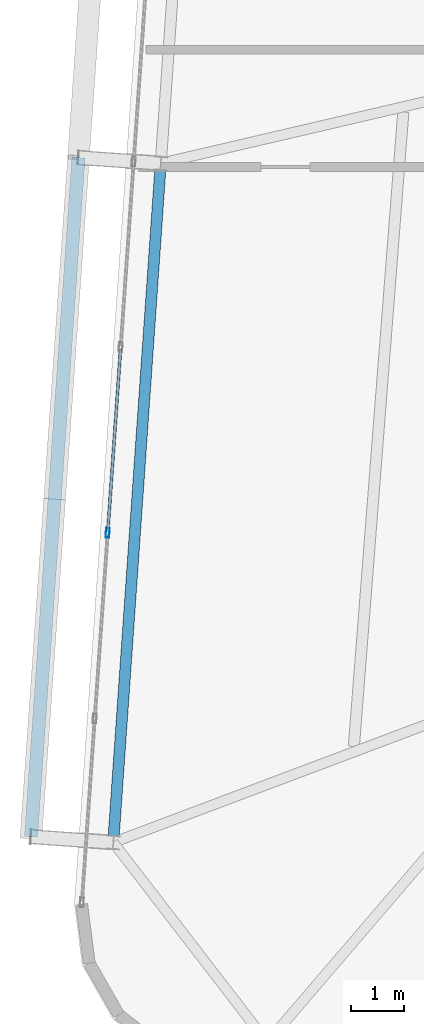
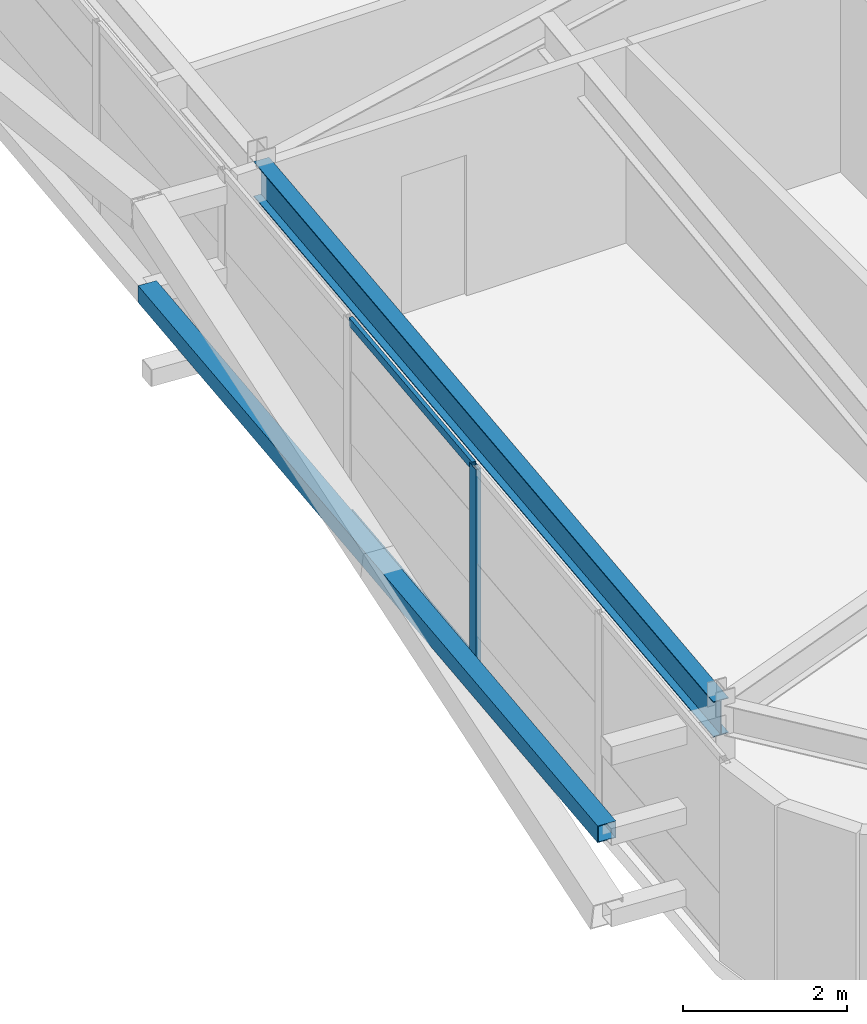
# One storey, part 9 of 47: 4 members, 1 beam, 1 element without a shape of its own.
"""IFC4 building model written with IfcOpenShell, lengths in metres."""

import ifcopenshell
import ifcopenshell.guid

model = None  # the IFC model being written
_history = None  # IfcOwnerHistory: only IFC2X3 demands one
_inside = {}  # id of a spatial element -> (the spatial element, [elements in it])
_under = {}  # id of a project, library or spatial element -> (it, [spatial elements below it])
_declared = {}  # id of a project -> (the project, [libraries it declares])
_typed = {}  # id of a type object -> (the type object, [elements of that type])
_made_of = {}  # id of a material, layer set ... -> (it, [elements and type objects made of it])


def new_model(schema):
    """Start an empty IFC model of exactly this schema.

    Asked for "IFC4X3", IfcOpenShell would pick the latest addendum, in which some entities
    have other attributes; the version numbers below select the first issue.
    IFC2X3 requires an IfcOwnerHistory on every rooted entity: one is made here for all.
    """
    global model, _history
    if schema == "IFC4X3":
        model = ifcopenshell.file(schema_version=(4, 3, 0, 0))
    else:
        model = ifcopenshell.file(schema=schema)
    _inside.clear()
    _under.clear()
    _declared.clear()
    _typed.clear()
    _made_of.clear()
    _history = None
    if model.schema == "IFC2X3":
        org = make("IfcOrganization", Name="unknown")
        user = make(
            "IfcPersonAndOrganization",
            ThePerson=make("IfcPerson", FamilyName="unknown"),
            TheOrganization=org,
        )
        app = make(
            "IfcApplication",
            ApplicationDeveloper=org,
            Version="unknown",
            ApplicationFullName="unknown",
            ApplicationIdentifier="unknown",
        )
        _history = make(
            "IfcOwnerHistory",
            OwningUser=user,
            OwningApplication=app,
            ChangeAction="ADDED",
            CreationDate=0,
        )
    return model


def make(cls, **values):
    """One entity of the class cls with the attributes given. An attribute that is None is left unset."""
    return model.create_entity(
        cls, **{name: value for name, value in values.items() if value is not None}
    )


def rooted(cls, **values):
    """An entity with a GlobalId (a new one), such as an element, a storey or a relation."""
    return make(cls, GlobalId=ifcopenshell.guid.new(), OwnerHistory=_history, **values)


def si_unit(unit_type, name, prefix=None):
    """IfcSIUnit, for example si_unit("LENGTHUNIT", "METRE", prefix="MILLI")."""
    return make("IfcSIUnit", UnitType=unit_type, Prefix=prefix, Name=name)


def assignment(units):
    """IfcUnitAssignment: the units of a project."""
    return None if units is None else make("IfcUnitAssignment", Units=units)


def point(xyz):
    """IfcCartesianPoint."""
    return None if xyz is None else make("IfcCartesianPoint", Coordinates=xyz)


def direction(xyz):
    """IfcDirection."""
    return None if xyz is None else make("IfcDirection", DirectionRatios=xyz)


def frame(location, z_axis=None, x_axis=None):
    """IfcAxis2Placement3D, a coordinate frame: its origin and axes. An axis left out is left unset."""
    return make(
        "IfcAxis2Placement3D",
        Location=point(location),
        Axis=direction(z_axis),
        RefDirection=direction(x_axis),
    )


def frame_2d(location, x_axis=None):
    """IfcAxis2Placement2D, a coordinate frame in the plane: its origin and x axis."""
    return make(
        "IfcAxis2Placement2D", Location=point(location), RefDirection=direction(x_axis)
    )


def origin():
    """The frame at (0, 0, 0) with its axes left unset."""
    return frame((0.0, 0.0, 0.0))


def origin_2d():
    """The frame at (0, 0) in the plane with its x axis left unset."""
    return frame_2d((0.0, 0.0))


def place(relative_to, where):
    """IfcLocalPlacement: puts the frame where relative to a parent placement (None: the world)."""
    return make(
        "IfcLocalPlacement", PlacementRelTo=relative_to, RelativePlacement=where
    )


def context(
    kind, dimensions, precision=None, world=None, true_north=None, identifier=None
):
    """IfcGeometricRepresentationContext, for example the 3D "Model" context."""
    return make(
        "IfcGeometricRepresentationContext",
        ContextIdentifier=identifier,
        ContextType=kind,
        CoordinateSpaceDimension=dimensions,
        Precision=precision,
        WorldCoordinateSystem=world,
        TrueNorth=true_north,
    )


def subcontext(parent, identifier, kind, view, scale=None):
    """IfcGeometricRepresentationSubContext, for example "Body" below "Model"."""
    return make(
        "IfcGeometricRepresentationSubContext",
        ContextIdentifier=identifier,
        ContextType=kind,
        ParentContext=parent,
        TargetScale=scale,
        TargetView=view,
    )


def project(units=None, contexts=None):
    """IfcProject with its units and contexts."""
    return rooted(
        "IfcProject",
        Name="project",
        RepresentationContexts=contexts,
        UnitsInContext=assignment(units),
    )


def spatial(cls, under=None, at=None, **own):
    """A site, building, storey or space (cls), placed at a placement, below another one or the project."""
    s = rooted(cls, ObjectPlacement=at, **own)
    if under is not None:
        _under.setdefault(under.id(), (under, []))[1].append(s)
    return s


def profile(cls, at=None, kind="AREA", **sizes):
    """A parametric profile (cls). Its sizes go by their IFC names, for example OverallWidth=200.0."""
    return make(cls, ProfileType=kind, Position=at, **sizes)


def hollow_rectangle(**sizes):
    """IfcRectangleHollowProfileDef."""
    return profile("IfcRectangleHollowProfileDef", **sizes)


def i_section(**sizes):
    """IfcIShapeProfileDef."""
    return profile("IfcIShapeProfileDef", **sizes)


def extrude(swept, where, along, depth):
    """IfcExtrudedAreaSolid: the profile swept, set in the frame where, extruded along a direction by depth."""
    return make(
        "IfcExtrudedAreaSolid",
        SweptArea=swept,
        Position=where,
        ExtrudedDirection=direction(along),
        Depth=depth,
    )


def shape(context_of_items, identifier, shape_type, items):
    """IfcShapeRepresentation: the items that make up one representation, for example the "Body"."""
    return make(
        "IfcShapeRepresentation",
        ContextOfItems=context_of_items,
        RepresentationIdentifier=identifier,
        RepresentationType=shape_type,
        Items=items,
    )


def source(mapping_origin, context_of_items, identifier, shape_type, items):
    """IfcRepresentationMap: a shape defined once, which mapped items show again and again."""
    return make(
        "IfcRepresentationMap",
        MappingOrigin=mapping_origin,
        MappedRepresentation=shape(context_of_items, identifier, shape_type, items),
    )


def transform(
    local_origin,
    x_axis=None,
    y_axis=None,
    z_axis=None,
    scale=None,
    scale2=None,
    scale3=None,
    uniform=True,
):
    """IfcCartesianTransformationOperator3D, or its non-uniform kind. x_axis, y_axis, z_axis: its Axis1, 2, 3."""
    if uniform:
        return make(
            "IfcCartesianTransformationOperator3D",
            Axis1=direction(x_axis),
            Axis2=direction(y_axis),
            LocalOrigin=point(local_origin),
            Scale=scale,
            Axis3=direction(z_axis),
        )
    return make(
        "IfcCartesianTransformationOperator3DnonUniform",
        Axis1=direction(x_axis),
        Axis2=direction(y_axis),
        LocalOrigin=point(local_origin),
        Scale=scale,
        Axis3=direction(z_axis),
        Scale2=scale2,
        Scale3=scale3,
    )


def mapped(mapping_source, mapping_target):
    """IfcMappedItem: shows the shape of a source again, moved by a transform."""
    return make(
        "IfcMappedItem", MappingSource=mapping_source, MappingTarget=mapping_target
    )


def material(Name=None, Category=None):
    """IfcMaterial."""
    return make("IfcMaterial", Name=Name, Category=Category)


def layer(
    of_material, thickness, ventilated=None, Name=None, Category=None, Priority=None
):
    """IfcMaterialLayer: one layer of a wall or slab, of a material (None: an air gap)."""
    return make(
        "IfcMaterialLayer",
        Material=of_material,
        LayerThickness=thickness,
        IsVentilated=ventilated,
        Name=Name,
        Category=Category,
        Priority=Priority,
    )


def layer_set(layers, Name=None):
    """IfcMaterialLayerSet."""
    return make("IfcMaterialLayerSet", MaterialLayers=layers, LayerSetName=Name)


def material_profile(
    of_material, cross_section, Name=None, Category=None, Priority=None
):
    """IfcMaterialProfile: a cross section and its material."""
    return make(
        "IfcMaterialProfile",
        Name=Name,
        Material=of_material,
        Profile=cross_section,
        Priority=Priority,
        Category=Category,
    )


def profile_set(profiles, Name=None, composite=None):
    """IfcMaterialProfileSet."""
    return make(
        "IfcMaterialProfileSet",
        Name=Name,
        MaterialProfiles=profiles,
        CompositeProfile=composite,
    )


def made_of(thing, what):
    """Note that an element or type object is made of a material, layer set ...; save() writes the relation."""
    if what is not None:
        _made_of.setdefault(what.id(), (what, []))[1].append(thing)
    return thing


def type_object(cls, material=None, **own):
    """A type object (cls), such as IfcWallType, which elements share."""
    return made_of(rooted(cls, **own), material)


def element(
    cls,
    number,
    at=None,
    inside=None,
    cuts=None,
    type_object=None,
    material=None,
    context=None,
    identifier="Body",
    shape_type=None,
    held_by="IfcProductDefinitionShape",
    body=None,
    shapes=None,
    **own,
):
    """One element of the class cls, such as IfcWall. Its Tag is "e" and its number.

    at: its placement. inside: the storey or other place that contains it. cuts: it is an
    opening in that element (IfcRelVoidsElement). A single representation is given by context,
    identifier, shape_type and body (its items); several are given by shapes. held_by: the class
    of the entity that holds the representations. save() writes the other relations.
    """
    e = rooted(cls, Tag="e%d" % number, ObjectPlacement=at, **own)
    if body is not None:
        shapes = [shape(context, identifier, shape_type, body)]
    if shapes is not None:
        e.Representation = make(held_by, Representations=shapes)
    if inside is not None:
        _inside.setdefault(inside.id(), (inside, []))[1].append(e)
    if cuts is not None:
        rooted(
            "IfcRelVoidsElement", RelatingBuildingElement=cuts, RelatedOpeningElement=e
        )
    if type_object is not None:
        _typed.setdefault(type_object.id(), (type_object, []))[1].append(e)
    return made_of(e, material)


def aggregate(whole, parts):
    """IfcRelAggregates: a whole, such as a stair, and the parts it consists of."""
    return rooted("IfcRelAggregates", RelatingObject=whole, RelatedObjects=parts)


def save(model, path):
    """Write the relations noted so far, then the file.

    IfcRelAggregates (storeys below a building ...), IfcRelContainedInSpatialStructure (elements
    in a storey), IfcRelDefinesByType, IfcRelAssociatesMaterial and IfcRelDeclares: one each for
    every whole, place, type object, material and project.
    """
    for whole, parts in _under.values():
        aggregate(whole, parts)
    for where, things in _inside.values():
        rooted(
            "IfcRelContainedInSpatialStructure",
            RelatedElements=things,
            RelatingStructure=where,
        )
    for kind, things in _typed.values():
        rooted("IfcRelDefinesByType", RelatedObjects=things, RelatingType=kind)
    for what, things in _made_of.values():
        rooted("IfcRelAssociatesMaterial", RelatedObjects=things, RelatingMaterial=what)
    for by, libraries in _declared.values():
        rooted("IfcRelDeclares", RelatingContext=by, RelatedDefinitions=libraries)
    model.write(path)


model = new_model("IFC4")

# Units and contexts
model_context = context("Model", 3, precision=1e-05, world=origin(), true_north=direction((0.0, 1.0)))
body_context = subcontext(model_context, "Body", "Model", "MODEL_VIEW")
ifc_project = project(units=[si_unit("LENGTHUNIT", "METRE"), si_unit("AREAUNIT", "SQUARE_METRE"), si_unit("VOLUMEUNIT", "CUBIC_METRE"), si_unit("PLANEANGLEUNIT", "RADIAN"), si_unit("MASSUNIT", "GRAM", prefix="KILO")], contexts=[model_context])

# Site, building, storey
site_placement = place(None, origin())
site = spatial("IfcSite", under=ifc_project, at=site_placement, CompositionType="ELEMENT")
building_placement = place(site_placement, origin())
building = spatial("IfcBuilding", under=site, at=building_placement, Name="Taldren Reach Tower", CompositionType="ELEMENT")
storey_placement = place(building_placement, frame((0.0, 0.0, 139.300048828125)))
storey = spatial("IfcBuildingStorey", under=building, at=storey_placement, Name="L42", CompositionType="ELEMENT", Elevation=139.300048828125)

# Beam
ifc_material_1 = material(Name="Steel Gr 350 (350PLUS)", Category="steel")
ifc_material_profile_1 = material_profile(ifc_material_1, i_section(OverallWidth=0.208984375, OverallDepth=0.528076171875, WebThickness=0.009521484375, FlangeThickness=0.01318359375, at=origin_2d()), Name="530UB82.0")
ifc_profile_set_1 = profile_set([ifc_material_profile_1], Name="Steel Gr 350 (350PLUS)")
beam_type = type_object("IfcBeamType", Name="SP-UB530B", PredefinedType="SPANDREL", material=ifc_profile_set_1)
shared_shape_1 = source(origin(), body_context, "Body", "SweptSolid", [
    extrude(i_section(OverallWidth=0.208984375, OverallDepth=0.528076171875, WebThickness=0.009521484375, FlangeThickness=0.01318359375, at=origin_2d()), origin(), (0.0, 0.0, 1.0), 12.800048828125),
])
beam_placement = place(storey_placement, frame((9.86181640625, 21.868408203125, 2.666015625), z_axis=(-0.069770857464, -0.997563044348, 0.0), x_axis=(0.997563044348, -0.069770857464, 0.0)))
element("IfcBeam", 1, at=beam_placement, inside=storey, type_object=beam_type, Name="Perimeter spandrel B3 W2-W1 L42", PredefinedType="SPANDREL", context=body_context, shape_type="MappedRepresentation", body=[
    mapped(shared_shape_1, transform((0.0, 0.0, 0.0), scale=1.0)),
])

# Member
ifc_material_2 = material(Name="Steel Gr 350 (C350L0)", Category="steel")
ifc_material_profile_2 = material_profile(ifc_material_2, hollow_rectangle(XDim=0.25, YDim=0.25, WallThickness=0.010009765625, at=origin_2d()), Name="250x250x10.0SHS")
ifc_profile_set_2 = profile_set([ifc_material_profile_2], Name="Steel Gr 350 (C350L0)")
member_type_1 = type_object("IfcMemberType", Name="MB-POST250", PredefinedType="POST", material=ifc_profile_set_2)
shared_shape_2 = source(origin(), body_context, "Body", "SweptSolid", [
    extrude(hollow_rectangle(XDim=0.25, YDim=0.25, WallThickness=0.010009765625, at=origin_2d()), origin(), (0.0, 0.0, 1.0), 12.80029296875),
])
member_1_placement = place(storey_placement, frame((7.422607421875, 9.20751953125, 1.43505859375), z_axis=(0.069750549628, 0.997564464497, 0.0), x_axis=(-0.997564464497, 0.069750549628, 0.0)))
element("IfcMember", 2, at=member_1_placement, inside=storey, type_object=member_type_1, Name="Exoskeleton mid-height ring chord B3-W1 L42", PredefinedType="POST", context=body_context, shape_type="MappedRepresentation", body=[
    mapped(shared_shape_2, transform((0.0, 0.0, 0.0), scale=1.0)),
])

# Curtain wall, members
ifc_material_3 = material(Name="Aluminium and Low-E Glass Unitised System", Category="aluminium")
ifc_layer = layer(ifc_material_3, 0.159912109375)
ifc_layer_set = layer_set([ifc_layer], Name="Aluminium and Low-E Glass Unitised System")
curtain_wall_type = type_object("IfcCurtainWallType", Name="CW-SYS-4", PredefinedType="NOTDEFINED", material=ifc_layer_set)
curtain_wall_placement = place(storey_placement, origin())
curtain_wall = element("IfcCurtainWall", 3, at=curtain_wall_placement, inside=storey, type_object=curtain_wall_type, Name="Unitised curtain wall CW-L42-W", PredefinedType="NOTDEFINED")
ifc_material_4 = material(Name="Anodised Aluminium 6063-T6", Category="aluminium")
ifc_material_profile_3 = material_profile(ifc_material_4, hollow_rectangle(XDim=0.070068359375, YDim=0.179931640625, WallThickness=0.00390625, at=origin_2d()), Name="ALU-180x70x4RHS")
ifc_profile_set_3 = profile_set([ifc_material_profile_3], Name="Anodised Aluminium 6063-T6")
member_type_2 = type_object("IfcMemberType", Name="CW-MUL-180", PredefinedType="MULLION", material=ifc_profile_set_3)
shared_shape_3 = source(origin(), body_context, "Body", "SweptSolid", [
    extrude(hollow_rectangle(XDim=0.070068359375, YDim=0.179931640625, WallThickness=0.00390625, at=origin_2d()), origin(), (0.0, 0.0, 1.0), 2.929931640625),
])
member_2_placement = place(storey_placement, frame((8.86474609375, 14.9208984375, 0.0), z_axis=(0.0, 0.0, 1.0), x_axis=(0.997564052812, -0.069756437251, 0.0)))
member_2 = element("IfcMember", 4, at=member_2_placement, type_object=member_type_2, Name="CW-4 mullion 7", PredefinedType="MULLION", context=body_context, shape_type="MappedRepresentation", body=[
    mapped(shared_shape_3, transform((0.0, 0.0, 0.0), scale=1.0)),
])
ifc_material_profile_4 = material_profile(ifc_material_4, hollow_rectangle(XDim=0.054931640625, YDim=0.1201171875, WallThickness=0.0029296875, at=origin_2d()), Name="ALU-120x55x3RHS")
ifc_profile_set_4 = profile_set([ifc_material_profile_4], Name="Anodised Aluminium 6063-T6")
member_type_3 = type_object("IfcMemberType", Name="CW-TRN-135", PredefinedType="USERDEFINED", material=ifc_profile_set_4)
shared_shape_4 = source(origin(), body_context, "Body", "SweptSolid", [
    extrude(hollow_rectangle(XDim=0.054931640625, YDim=0.1201171875, WallThickness=0.0029296875, at=origin_2d()), origin(), (0.0, 0.0, 1.0), 3.429931640625),
])
member_3_placement = place(storey_placement, frame((9.1064453125, 18.37744140625, 0.02734375), z_axis=(-0.069754754695, -0.997564170466, 0.0), x_axis=(0.997564170466, -0.069754754695, 0.0)))
member_3 = element("IfcMember", 5, at=member_3_placement, type_object=member_type_3, Name="CW-4 transom 6.1", ObjectType="TRANSOM", PredefinedType="USERDEFINED", context=body_context, shape_type="MappedRepresentation", body=[
    mapped(shared_shape_4, transform((0.0, 0.0, 0.0), scale=1.0)),
])
member_4_placement = place(storey_placement, frame((9.1064453125, 18.37744140625, 2.90234375), z_axis=(-0.069754754695, -0.997564170466, 0.0), x_axis=(0.997564170466, -0.069754754695, 0.0)))
member_4 = element("IfcMember", 6, at=member_4_placement, type_object=member_type_3, Name="CW-4 transom 6.2", ObjectType="TRANSOM", PredefinedType="USERDEFINED", context=body_context, shape_type="MappedRepresentation", body=[
    mapped(shared_shape_4, transform((0.0, 0.0, 0.0), scale=1.0)),
])
aggregate(curtain_wall, [member_2, member_3, member_4])

save(model, "model.ifc")
